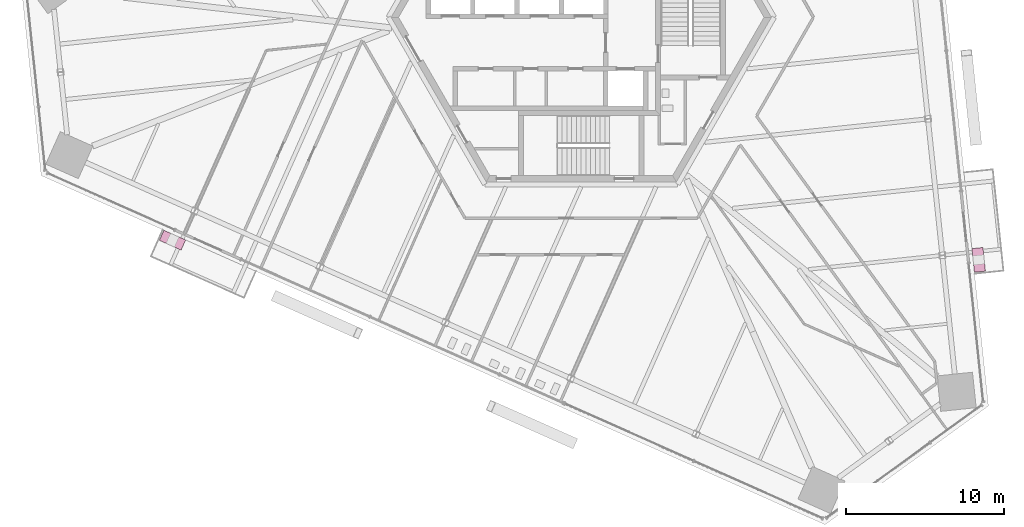
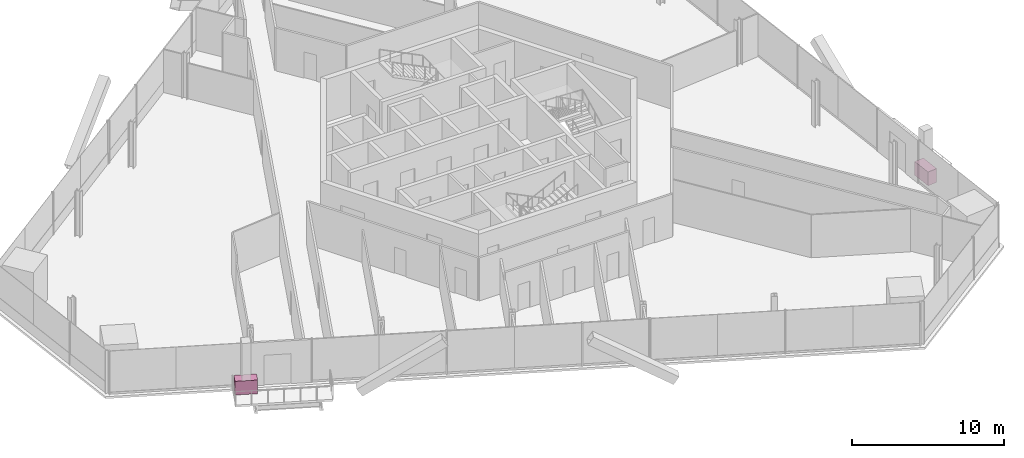
# One storey, part 18 of 19: 2 furniture elements.
"""IFC4 building model written with IfcOpenShell, lengths in metres."""

from ifc_helpers import new_model, si_unit, direction, frame, origin, origin_2d, place, context, subcontext, project, spatial, rectangle, extrude, source, transform, mapped, material, type_object, element, save


model = new_model("IFC4")

# Units and contexts
model_context = context("Model", 3, precision=1e-05, world=origin(), true_north=direction((0.0, 1.0)))
body_context = subcontext(model_context, "Body", "Model", "MODEL_VIEW")
ifc_project = project(units=[si_unit("LENGTHUNIT", "METRE"), si_unit("AREAUNIT", "SQUARE_METRE"), si_unit("VOLUMEUNIT", "CUBIC_METRE"), si_unit("PLANEANGLEUNIT", "RADIAN"), si_unit("MASSUNIT", "GRAM", prefix="KILO")], contexts=[model_context])

# Site, building, storey
site_placement = place(None, origin())
site = spatial("IfcSite", under=ifc_project, at=site_placement, CompositionType="ELEMENT")
building_placement = place(site_placement, origin())
building = spatial("IfcBuilding", under=site, at=building_placement, Name="Triune Harvest Tower", CompositionType="ELEMENT")
storey_placement = place(building_placement, frame((0.0, 0.0, 69.300048828125)))
storey = spatial("IfcBuildingStorey", under=building, at=storey_placement, Name="L16", CompositionType="ELEMENT", Elevation=69.300048828125)

# Furniture
ifc_material = material(Name="Concrete 40 MPa", Category="concrete")
furniture_type = type_object("IfcFurnitureType", Name="PB-1 structural planter", AssemblyPlace="SITE", PredefinedType="USERDEFINED", material=ifc_material)
shared_shape = source(origin(), body_context, "Body", "SweptSolid", [
    extrude(rectangle(XDim=1.5, YDim=0.699951171875, at=origin_2d()), origin(), (0.0, 0.0, 1.0), 1.10009765625),
])
for number, where, z_axis, x_axis, name in (
    (1, (25.085693359375, -15.311279296875, 0.0), (0.0, 0.0, 1.0), (-0.104527536558, 0.994521992769, 0.0), "Planter B2-F1 L16.3a"),
    (2, (-25.802734375, -14.069091796875, 0.0), (0.0, 0.0, 1.0), (0.913545207137, -0.406737205721, 0.0), "Planter B2-F5 L16.3a"),
):
    element("IfcFurniture", number, at=place(storey_placement, frame(where, z_axis=z_axis, x_axis=x_axis)), inside=storey, type_object=furniture_type, Name=name, ObjectType="PLANTER", PredefinedType="USERDEFINED", context=body_context, shape_type="MappedRepresentation", body=[
        mapped(shared_shape, transform((0.0, 0.0, 0.0), scale=1.0)),
    ])

save(model, "model.ifc")
